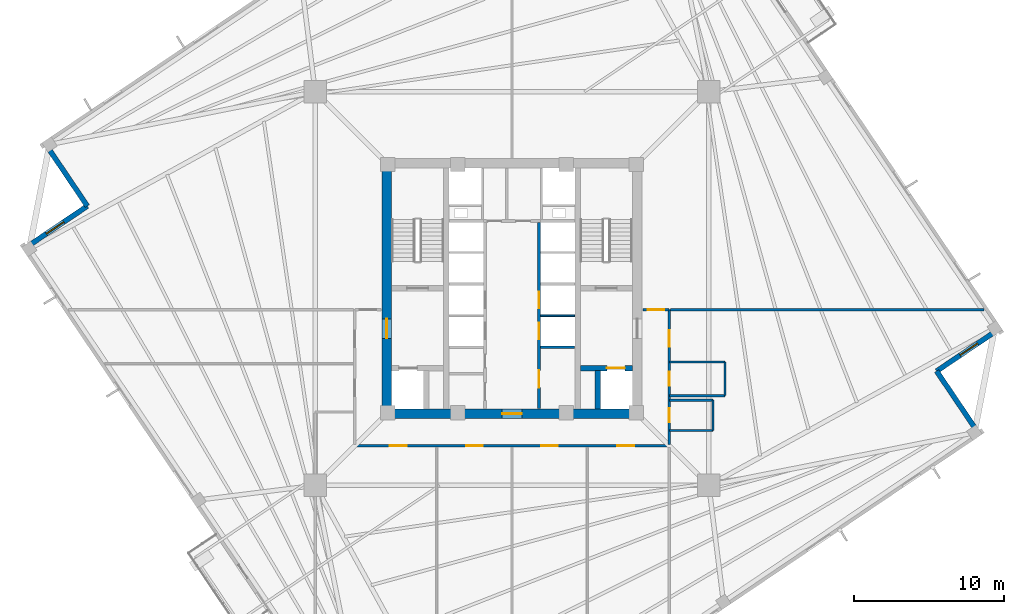
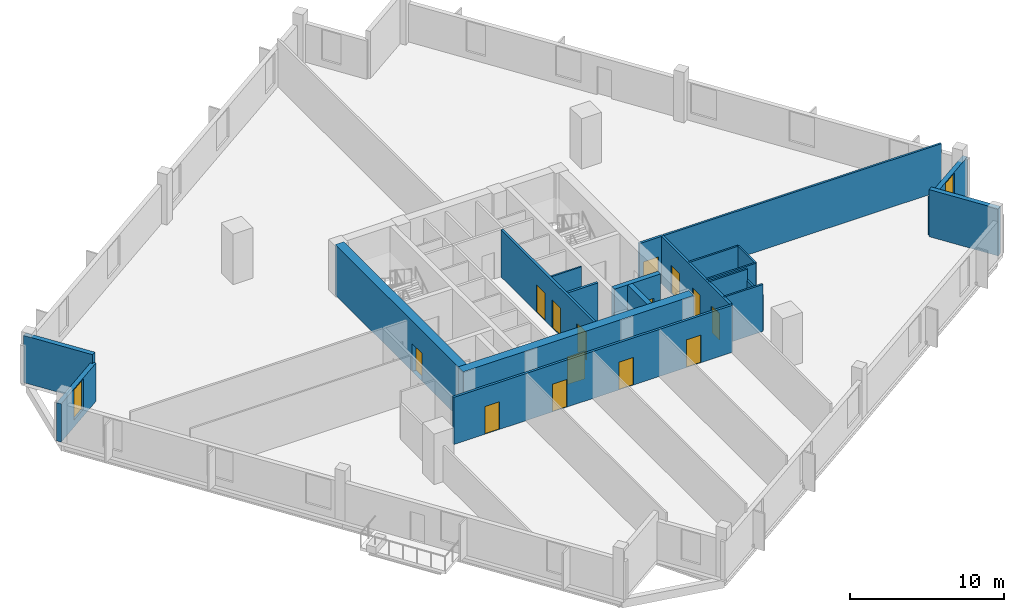
# One storey, part 4 of 9: 21 walls, 14 doors, 2 windows, 16 openings.
"""IFC4 building model written with IfcOpenShell, lengths in metres."""

from ifc_helpers import new_model, si_unit, direction, frame, frame_2d, origin, place, context, subcontext, project, spatial, rectangle, extrude, source, transform, mapped, material, layer, layer_set, type_object, element, fill, save


model = new_model("IFC4")

# Units and contexts
model_context = context("Model", 3, precision=1e-05, world=origin(), true_north=direction((0.0, 1.0)))
body_context = subcontext(model_context, "Body", "Model", "MODEL_VIEW")
ifc_project = project(units=[si_unit("LENGTHUNIT", "METRE"), si_unit("AREAUNIT", "SQUARE_METRE"), si_unit("VOLUMEUNIT", "CUBIC_METRE"), si_unit("PLANEANGLEUNIT", "RADIAN"), si_unit("MASSUNIT", "GRAM", prefix="KILO"), si_unit("THERMODYNAMICTEMPERATUREUNIT", "KELVIN")], contexts=[model_context])

# Site, building, storey
site_placement = place(None, origin())
site = spatial("IfcSite", under=ifc_project, at=site_placement, CompositionType="ELEMENT")
building_placement = place(site_placement, origin())
building = spatial("IfcBuilding", under=site, at=building_placement, Name="Kosmvard Interchange Tower", CompositionType="ELEMENT")
storey_placement = place(building_placement, frame((0.0, 0.0, 144.39990234375)))
storey = spatial("IfcBuildingStorey", under=building, at=storey_placement, Name="L34", CompositionType="ELEMENT", Elevation=144.39990234375)

# Wall
ifc_material_1 = material(Name="Acoustic gypsum partition system")
ifc_layer_1 = layer(ifc_material_1, 0.14990234375, Name="Acoustic gypsum partition system")
ifc_layer_set_1 = layer_set([ifc_layer_1], Name="Acoustic gypsum partition system")
wall_type_1 = type_object("IfcWallType", Name="Acoustic Suite & Meeting Partition 150", PredefinedType="PARTITIONING", material=ifc_layer_set_1)
wall_1_placement = place(storey_placement, frame((10.544921875, -1.39990234375, 0.0), z_axis=(0.0, 0.0, 1.0), x_axis=(1.0, 0.0, 0.0)))
element("IfcWall", 1, at=wall_1_placement, inside=storey, type_object=wall_type_1, Name="L34 Room Partition 03.1", PredefinedType="PARTITIONING", context=body_context, shape_type="SweptSolid", body=[
    extrude(rectangle(XDim=20.826171875, YDim=0.14990234375, at=frame_2d((10.4130859375, 0.0))), origin(), (0.0, 0.0, 1.0), 3.739990234375),
])

# Wall, openings, doors
ifc_material_2 = material(Name="Fire-rated gypsum partition system")
ifc_layer_2 = layer(ifc_material_2, 0.179931640625, Name="Fire-rated gypsum partition system")
ifc_layer_set_2 = layer_set([ifc_layer_2], Name="Fire-rated gypsum partition system")
wall_type_2 = type_object("IfcWallType", Name="Corridor & Hotel Compartment Partition 180", PredefinedType="PARTITIONING", material=ifc_layer_set_2)
wall_2_placement = place(storey_placement, frame((1.7900390625, -7.97998046875, 0.0), z_axis=(0.0, 0.0, 1.0), x_axis=(0.0, 1.0, 0.0)))
wall_2 = element("IfcWall", 2, at=wall_2_placement, inside=storey, type_object=wall_type_2, Name="L34 East Lift Bank Front Wall", PredefinedType="PARTITIONING", context=body_context, shape_type="SweptSolid", body=[
    extrude(rectangle(XDim=12.3798828125, YDim=0.179931640625, at=frame_2d((6.18994140625, 0.0))), origin(), (0.0, 0.0, 1.0), 3.739990234375),
])
opening_1_placement = place(wall_2_placement, frame((4.60009765625, 0.0, 0.0)))
opening_1 = element("IfcOpeningElement", 3, at=opening_1_placement, cuts=wall_2, Name="Opening LD-PL-M3-L34", PredefinedType="OPENING", context=body_context, shape_type="SweptSolid", body=[
    extrude(rectangle(XDim=1.10009765625, YDim=2.199951171875, at=frame_2d((0.550048828125, 1.10009765625))), frame((0.0, 0.10009765625, 0.0), z_axis=(0.0, -1.0, 0.0), x_axis=(1.0, 0.0, 0.0)), (0.0, 0.0, 1.0), 0.199951171875),
])
opening_2_placement = place(wall_2_placement, frame((6.659912109375, 0.0, 0.0)))
opening_2 = element("IfcOpeningElement", 4, at=opening_2_placement, cuts=wall_2, Name="Opening LD-PL-M4-L34", PredefinedType="OPENING", context=body_context, shape_type="SweptSolid", body=[
    extrude(rectangle(XDim=1.10009765625, YDim=2.199951171875, at=frame_2d((0.550048828125, 1.10009765625))), frame((0.0, 0.10009765625, 0.0), z_axis=(0.0, -1.0, 0.0), x_axis=(1.0, 0.0, 0.0)), (0.0, 0.0, 1.0), 0.199951171875),
])
opening_3_placement = place(wall_2_placement, frame((1.39990234375, 0.0, 0.0)))
opening_3 = element("IfcOpeningElement", 5, at=opening_3_placement, cuts=wall_2, Name="Opening L34-CD3", PredefinedType="OPENING", context=body_context, shape_type="SweptSolid", body=[
    extrude(rectangle(XDim=1.14990234375, YDim=2.25, at=frame_2d((0.574951171875, 1.125))), frame((0.0, 0.10009765625, 0.0), z_axis=(0.0, -1.0, 0.0), x_axis=(1.0, 0.0, 0.0)), (0.0, 0.0, 1.0), 0.199951171875),
])
ifc_material_3 = material(Name="Painted fire-rated steel leaf", Category="steel")
door_type_1 = type_object("IfcDoorType", Name="Plant & Riser Fire Door 1150x2250 EI60", OperationType="NOTDEFINED", PredefinedType="DOOR", material=ifc_material_3)
shared_shape_1 = source(origin(), body_context, "Body", "SweptSolid", [
    extrude(rectangle(XDim=1.14990234375, YDim=2.25, at=frame_2d((0.574951171875, 1.125))), frame((0.0, 0.02490234375, 0.0), z_axis=(0.0, -1.0, 0.0), x_axis=(1.0, 0.0, 0.0)), (0.0, 0.0, 1.0), 0.050048828125),
])
door_1_placement = place(opening_3_placement, frame((1.14990234375, 0.0, 0.0), z_axis=(0.0, 0.0, 1.0), x_axis=(-1.0, 0.0, 0.0)))
door_1 = element("IfcDoor", 6, at=door_1_placement, inside=storey, type_object=door_type_1, Name="L34 Core Telecoms Door", OperationType="SINGLE_SWING_RIGHT", OverallHeight=2.25, OverallWidth=1.14990234375, PredefinedType="DOOR", context=body_context, shape_type="MappedRepresentation", body=[
    mapped(shared_shape_1, transform((0.0, 0.0, 0.0), scale=1.0)),
])
fill(opening_3, door_1)
ifc_material_4 = material(Name="Brushed stainless steel sliding leaf", Category="steel")
door_type_2 = type_object("IfcDoorType", Name="Passenger Lift Sliding Landing Door 1100x2200 EI60", OperationType="DOUBLE_DOOR_SLIDING", PredefinedType="DOOR", material=ifc_material_4)
shared_shape_2 = source(origin(), body_context, "Body", "SweptSolid", [
    extrude(rectangle(XDim=1.10009765625, YDim=2.199951171875, at=frame_2d((0.550048828125, 1.10009765625))), frame((0.0, 0.02490234375, 0.0), z_axis=(0.0, -1.0, 0.0), x_axis=(1.0, 0.0, 0.0)), (0.0, 0.0, 1.0), 0.050048828125),
])
door_2_placement = place(opening_1_placement, origin())
door_2 = element("IfcDoor", 7, at=door_2_placement, inside=storey, type_object=door_type_2, Name="Lift PL-M3 Landing Door L34", OperationType="DOUBLE_DOOR_SLIDING", OverallHeight=2.199951171875, OverallWidth=1.10009765625, PredefinedType="DOOR", context=body_context, shape_type="MappedRepresentation", body=[
    mapped(shared_shape_2, transform((0.0, 0.0, 0.0), scale=1.0)),
])
fill(opening_1, door_2)
door_3_placement = place(opening_2_placement, origin())
door_3 = element("IfcDoor", 8, at=door_3_placement, inside=storey, type_object=door_type_2, Name="Lift PL-M4 Landing Door L34", OperationType="DOUBLE_DOOR_SLIDING", OverallHeight=2.199951171875, OverallWidth=1.10009765625, PredefinedType="DOOR", context=body_context, shape_type="MappedRepresentation", body=[
    mapped(shared_shape_2, transform((0.0, 0.0, 0.0), scale=1.0)),
])
fill(opening_2, door_3)

wall_3_placement = place(storey_placement, frame((-10.449951171875, -10.449951171875, 0.0), z_axis=(0.0, 0.0, 1.0), x_axis=(1.0, 0.0, 0.0)))
wall_3 = element("IfcWall", 9, at=wall_3_placement, inside=storey, type_object=wall_type_2, Name="L34 Corridor Wall CS", PredefinedType="PARTITIONING", context=body_context, shape_type="SweptSolid", body=[
    extrude(rectangle(XDim=20.89990234375, YDim=0.179931640625, at=frame_2d((10.449951171875, 0.0))), origin(), (0.0, 0.0, 1.0), 3.739990234375),
])
opening_4_placement = place(wall_3_placement, frame((2.33935546875, 0.0, 0.0)))
opening_4 = element("IfcOpeningElement", 10, at=opening_4_placement, cuts=wall_3, Name="Opening L34-D07", PredefinedType="OPENING", context=body_context, shape_type="SweptSolid", body=[
    extrude(rectangle(XDim=1.10009765625, YDim=2.199951171875, at=frame_2d((0.550048828125, 1.10009765625))), frame((0.0, 0.10009765625, 0.0), z_axis=(0.0, -1.0, 0.0), x_axis=(1.0, 0.0, 0.0)), (0.0, 0.0, 1.0), 0.199951171875),
])
opening_5_placement = place(wall_3_placement, frame((7.39990234375, 0.0, 0.0)))
opening_5 = element("IfcOpeningElement", 11, at=opening_5_placement, cuts=wall_3, Name="Opening L34-D08", PredefinedType="OPENING", context=body_context, shape_type="SweptSolid", body=[
    extrude(rectangle(XDim=1.10009765625, YDim=2.199951171875, at=frame_2d((0.550048828125, 1.10009765625))), frame((0.0, 0.10009765625, 0.0), z_axis=(0.0, -1.0, 0.0), x_axis=(1.0, 0.0, 0.0)), (0.0, 0.0, 1.0), 0.199951171875),
])
opening_6_placement = place(wall_3_placement, frame((12.39990234375, 0.0, 0.0)))
opening_6 = element("IfcOpeningElement", 12, at=opening_6_placement, cuts=wall_3, Name="Opening L34-D09", PredefinedType="OPENING", context=body_context, shape_type="SweptSolid", body=[
    extrude(rectangle(XDim=1.10009765625, YDim=2.199951171875, at=frame_2d((0.550048828125, 1.10009765625))), frame((0.0, 0.10009765625, 0.0), z_axis=(0.0, -1.0, 0.0), x_axis=(1.0, 0.0, 0.0)), (0.0, 0.0, 1.0), 0.199951171875),
])
opening_7_placement = place(wall_3_placement, frame((17.46044921875, 0.0, 0.0)))
opening_7 = element("IfcOpeningElement", 13, at=opening_7_placement, cuts=wall_3, Name="Opening L34-D10", PredefinedType="OPENING", context=body_context, shape_type="SweptSolid", body=[
    extrude(rectangle(XDim=1.10009765625, YDim=2.199951171875, at=frame_2d((0.550048828125, 1.10009765625))), frame((0.0, 0.10009765625, 0.0), z_axis=(0.0, -1.0, 0.0), x_axis=(1.0, 0.0, 0.0)), (0.0, 0.0, 1.0), 0.199951171875),
])
ifc_material_5 = material(Name="Engineered oak fire-rated timber", Category="wood")
door_type_3 = type_object("IfcDoorType", Name="Office Suite Entrance Door 1100x2200 FD30S", OperationType="NOTDEFINED", PredefinedType="DOOR", material=ifc_material_5)
door_4_placement = place(opening_4_placement, frame((1.10009765625, 0.0, 0.0), z_axis=(0.0, 0.0, 1.0), x_axis=(-1.0, 0.0, 0.0)))
door_4 = element("IfcDoor", 14, at=door_4_placement, inside=storey, type_object=door_type_3, Name="L34 South-West Corner Office 2 Door", OperationType="SINGLE_SWING_LEFT", OverallHeight=2.199951171875, OverallWidth=1.10009765625, PredefinedType="DOOR", context=body_context, shape_type="MappedRepresentation", body=[
    mapped(shared_shape_2, transform((0.0, 0.0, 0.0), scale=1.0)),
])
fill(opening_4, door_4)
door_5_placement = place(opening_5_placement, frame((1.10009765625, 0.0, 0.0), z_axis=(0.0, 0.0, 1.0), x_axis=(-1.0, 0.0, 0.0)))
door_5 = element("IfcDoor", 15, at=door_5_placement, inside=storey, type_object=door_type_3, Name="L34 South Briefing Room 1 Door", OperationType="SINGLE_SWING_RIGHT", OverallHeight=2.199951171875, OverallWidth=1.10009765625, PredefinedType="DOOR", context=body_context, shape_type="MappedRepresentation", body=[
    mapped(shared_shape_2, transform((0.0, 0.0, 0.0), scale=1.0)),
])
fill(opening_5, door_5)
door_6_placement = place(opening_6_placement, frame((1.10009765625, 0.0, 0.0), z_axis=(0.0, 0.0, 1.0), x_axis=(-1.0, 0.0, 0.0)))
door_6 = element("IfcDoor", 16, at=door_6_placement, inside=storey, type_object=door_type_3, Name="L34 South Boardroom 2 Door", OperationType="SINGLE_SWING_LEFT", OverallHeight=2.199951171875, OverallWidth=1.10009765625, PredefinedType="DOOR", context=body_context, shape_type="MappedRepresentation", body=[
    mapped(shared_shape_2, transform((0.0, 0.0, 0.0), scale=1.0)),
])
fill(opening_6, door_6)
door_7_placement = place(opening_7_placement, frame((1.10009765625, 0.0, 0.0), z_axis=(0.0, 0.0, 1.0), x_axis=(-1.0, 0.0, 0.0)))
door_7 = element("IfcDoor", 17, at=door_7_placement, inside=storey, type_object=door_type_3, Name="L34 South Advisory Office 3 Door", OperationType="SINGLE_SWING_RIGHT", OverallHeight=2.199951171875, OverallWidth=1.10009765625, PredefinedType="DOOR", context=body_context, shape_type="MappedRepresentation", body=[
    mapped(shared_shape_2, transform((0.0, 0.0, 0.0), scale=1.0)),
])
fill(opening_7, door_7)

wall_4_placement = place(storey_placement, frame((10.449951171875, -10.35009765625, 0.0), z_axis=(0.0, 0.0, 1.0), x_axis=(0.0, 1.0, 0.0)))
wall_4 = element("IfcWall", 18, at=wall_4_placement, inside=storey, type_object=wall_type_2, Name="L34 Corridor Wall CE", PredefinedType="PARTITIONING", context=body_context, shape_type="SweptSolid", body=[
    extrude(rectangle(XDim=8.9501953125, YDim=0.179931640625, at=frame_2d((4.47509765625, 0.0))), origin(), (0.0, 0.0, 1.0), 3.739990234375),
])
opening_8_placement = place(wall_4_placement, frame((1.455078125, 0.0, 0.0)))
opening_8 = element("IfcOpeningElement", 19, at=opening_8_placement, cuts=wall_4, Name="Opening L34-D01", PredefinedType="OPENING", context=body_context, shape_type="SweptSolid", body=[
    extrude(rectangle(XDim=0.949951171875, YDim=2.10009765625, at=frame_2d((0.47509765625, 1.050048828125))), frame((0.0, 0.10009765625, 0.0), z_axis=(0.0, -1.0, 0.0), x_axis=(1.0, 0.0, 0.0)), (0.0, 0.0, 1.0), 0.199951171875),
])
opening_9_placement = place(wall_4_placement, frame((3.879150390625, 0.0, 0.0)))
opening_9 = element("IfcOpeningElement", 20, at=opening_9_placement, cuts=wall_4, Name="Opening L34-D02", PredefinedType="OPENING", context=body_context, shape_type="SweptSolid", body=[
    extrude(rectangle(XDim=0.949951171875, YDim=2.10009765625, at=frame_2d((0.47509765625, 1.050048828125))), frame((0.0, 0.10009765625, 0.0), z_axis=(0.0, -1.0, 0.0), x_axis=(1.0, 0.0, 0.0)), (0.0, 0.0, 1.0), 0.199951171875),
])
opening_10_placement = place(wall_4_placement, frame((6.494140625, 0.0, 0.0)))
opening_10 = element("IfcOpeningElement", 21, at=opening_10_placement, cuts=wall_4, Name="Opening L34-D11", PredefinedType="OPENING", context=body_context, shape_type="SweptSolid", body=[
    extrude(rectangle(XDim=1.10009765625, YDim=2.199951171875, at=frame_2d((0.550048828125, 1.10009765625))), frame((0.0, 0.10009765625, 0.0), z_axis=(0.0, -1.0, 0.0), x_axis=(1.0, 0.0, 0.0)), (0.0, 0.0, 1.0), 0.199951171875),
])
ifc_material_6 = material(Name="Laminated moisture-resistant timber", Category="wood")
door_type_4 = type_object("IfcDoorType", Name="Accessible Washroom Door 950x2100", OperationType="NOTDEFINED", PredefinedType="DOOR", material=ifc_material_6)
shared_shape_3 = source(origin(), body_context, "Body", "SweptSolid", [
    extrude(rectangle(XDim=0.949951171875, YDim=2.10009765625, at=frame_2d((0.47509765625, 1.050048828125))), frame((0.0, 0.02490234375, 0.0), z_axis=(0.0, -1.0, 0.0), x_axis=(1.0, 0.0, 0.0)), (0.0, 0.0, 1.0), 0.050048828125),
])
door_8_placement = place(opening_8_placement, frame((0.949951171875, 0.0, 0.0), z_axis=(0.0, 0.0, 1.0), x_axis=(-1.0, 0.0, 0.0)))
door_8 = element("IfcDoor", 22, at=door_8_placement, inside=storey, type_object=door_type_4, Name="L34 Accessible Toilet Door", OperationType="SINGLE_SWING_LEFT", OverallHeight=2.10009765625, OverallWidth=0.949951171875, PredefinedType="DOOR", context=body_context, shape_type="MappedRepresentation", body=[
    mapped(shared_shape_3, transform((0.0, 0.0, 0.0), scale=1.0)),
])
fill(opening_8, door_8)
door_9_placement = place(opening_9_placement, frame((0.949951171875, 0.0, 0.0), z_axis=(0.0, 0.0, 1.0), x_axis=(-1.0, 0.0, 0.0)))
door_9 = element("IfcDoor", 23, at=door_9_placement, inside=storey, type_object=door_type_4, Name="L34 Public Floor Washroom Door", OperationType="SINGLE_SWING_RIGHT", OverallHeight=2.10009765625, OverallWidth=0.949951171875, PredefinedType="DOOR", context=body_context, shape_type="MappedRepresentation", body=[
    mapped(shared_shape_3, transform((0.0, 0.0, 0.0), scale=1.0)),
])
fill(opening_9, door_9)
door_10_placement = place(opening_10_placement, frame((1.10009765625, 0.0, 0.0), z_axis=(0.0, 0.0, 1.0), x_axis=(-1.0, 0.0, 0.0)))
door_10 = element("IfcDoor", 24, at=door_10_placement, inside=storey, type_object=door_type_3, Name="L34 South-East Open Engineering Studio Door", OperationType="SINGLE_SWING_LEFT", OverallHeight=2.199951171875, OverallWidth=1.10009765625, PredefinedType="DOOR", context=body_context, shape_type="MappedRepresentation", body=[
    mapped(shared_shape_2, transform((0.0, 0.0, 0.0), scale=1.0)),
])
fill(opening_10, door_10)

# Wall, opening, door
wall_5_placement = place(storey_placement, frame((8.699951171875, -1.39990234375, 0.0), z_axis=(0.0, 0.0, 1.0), x_axis=(1.0, 0.0, 0.0)))
wall_5 = element("IfcWall", 25, at=wall_5_placement, inside=storey, type_object=wall_type_2, Name="L34 Corridor Wall CNE", PredefinedType="PARTITIONING", context=body_context, shape_type="SweptSolid", body=[
    extrude(rectangle(XDim=1.75, YDim=0.179931640625, at=frame_2d((0.875, 0.0))), origin(), (0.0, 0.0, 1.0), 3.739990234375),
])
opening_11_placement = place(wall_5_placement, frame((0.324951171875, 0.0, 0.0)))
opening_11 = element("IfcOpeningElement", 26, at=opening_11_placement, cuts=wall_5, Name="Opening L34-D04", PredefinedType="OPENING", context=body_context, shape_type="SweptSolid", body=[
    extrude(rectangle(XDim=1.10009765625, YDim=2.199951171875, at=frame_2d((0.550048828125, 1.10009765625))), frame((0.0, 0.10009765625, 0.0), z_axis=(0.0, -1.0, 0.0), x_axis=(1.0, 0.0, 0.0)), (0.0, 0.0, 1.0), 0.199951171875),
])
door_11_placement = place(opening_11_placement, origin())
door_11 = element("IfcDoor", 27, at=door_11_placement, inside=storey, type_object=door_type_3, Name="L34 North-East Technology Workplace Door", OperationType="SINGLE_SWING_RIGHT", OverallHeight=2.199951171875, OverallWidth=1.10009765625, PredefinedType="DOOR", context=body_context, shape_type="MappedRepresentation", body=[
    mapped(shared_shape_2, transform((0.0, 0.0, 0.0), scale=1.0)),
])
fill(opening_11, door_11)

ifc_material_7 = material(Name="Concrete C70/85", Category="concrete")
ifc_layer_3 = layer(ifc_material_7, 0.64990234375, Name="Concrete C70/85")
ifc_layer_set_3 = layer_set([ifc_layer_3], Name="Concrete C70/85")
wall_type_3 = type_object("IfcWallType", Name="Mid Core Shear Wall 650 C70/85", PredefinedType="SHEAR", material=ifc_layer_set_3)
wall_6_placement = place(storey_placement, frame((-8.64990234375, -8.324951171875, 0.0), z_axis=(0.0, 0.0, 1.0), x_axis=(1.0, 0.0, 0.0)))
wall_6 = element("IfcWall", 28, at=wall_6_placement, inside=storey, type_object=wall_type_3, Name="L34 Core Shear Wall CW-S", PredefinedType="SHEAR", context=body_context, shape_type="SweptSolid", body=[
    extrude(rectangle(XDim=17.2998046875, YDim=0.64990234375, at=frame_2d((8.64990234375, 0.0))), origin(), (0.0, 0.0, 1.0), 4.0),
])
opening_12_placement = place(wall_6_placement, frame((8.0, 0.0, 0.0)))
opening_12 = element("IfcOpeningElement", 29, at=opening_12_placement, cuts=wall_6, Name="Opening L34-LD0", PredefinedType="OPENING", context=body_context, shape_type="SweptSolid", body=[
    extrude(rectangle(XDim=1.300048828125, YDim=2.199951171875, at=frame_2d((0.64990234375, 1.10009765625))), frame((0.0, 0.3349609375, 0.0), z_axis=(0.0, -1.0, 0.0), x_axis=(1.0, 0.0, 0.0)), (0.0, 0.0, 1.0), 0.669921875),
])
door_type_5 = type_object("IfcDoorType", Name="Firefighting Lobby Door 1300x2200 EI60", OperationType="NOTDEFINED", PredefinedType="DOOR", material=ifc_material_3)
shared_shape_4 = source(origin(), body_context, "Body", "SweptSolid", [
    extrude(rectangle(XDim=1.300048828125, YDim=2.199951171875, at=frame_2d((0.64990234375, 1.10009765625))), frame((0.0, 0.02490234375, 0.0), z_axis=(0.0, -1.0, 0.0), x_axis=(1.0, 0.0, 0.0)), (0.0, 0.0, 1.0), 0.050048828125),
])
door_12_placement = place(opening_12_placement, frame((1.300048828125, 0.0, 0.0), z_axis=(0.0, 0.0, 1.0), x_axis=(-1.0, 0.0, 0.0)))
door_12 = element("IfcDoor", 30, at=door_12_placement, inside=storey, type_object=door_type_5, Name="L34 Passenger Lift Lobby South Door", OperationType="SINGLE_SWING_LEFT", OverallHeight=2.199951171875, OverallWidth=1.300048828125, PredefinedType="DOOR", context=body_context, shape_type="MappedRepresentation", body=[
    mapped(shared_shape_4, transform((0.0, 0.0, 0.0), scale=1.0)),
])
fill(opening_12, door_12)

wall_7_placement = place(storey_placement, frame((-8.324951171875, -8.0, 0.0), z_axis=(0.0, 0.0, 1.0), x_axis=(0.0, 1.0, 0.0)))
wall_7 = element("IfcWall", 31, at=wall_7_placement, inside=storey, type_object=wall_type_3, Name="L34 Core Shear Wall CW-W", PredefinedType="SHEAR", context=body_context, shape_type="SweptSolid", body=[
    extrude(rectangle(XDim=16.0, YDim=0.64990234375, at=frame_2d((8.0, 0.0))), origin(), (0.0, 0.0, 1.0), 4.0),
])
opening_13_placement = place(wall_7_placement, frame((4.68994140625, 0.0, 0.0)))
opening_13 = element("IfcOpeningElement", 32, at=opening_13_placement, cuts=wall_7, Name="Opening L34-FD1", PredefinedType="OPENING", context=body_context, shape_type="SweptSolid", body=[
    extrude(rectangle(XDim=1.300048828125, YDim=2.199951171875, at=frame_2d((0.64990234375, 1.10009765625))), frame((0.0, 0.3349609375, 0.0), z_axis=(0.0, -1.0, 0.0), x_axis=(1.0, 0.0, 0.0)), (0.0, 0.0, 1.0), 0.669921875),
])
door_13_placement = place(opening_13_placement, frame((1.300048828125, 0.0, 0.0), z_axis=(0.0, 0.0, 1.0), x_axis=(-1.0, 0.0, 0.0)))
door_13 = element("IfcDoor", 33, at=door_13_placement, inside=storey, type_object=door_type_5, Name="L34 Firefighting Lobby West Door", OperationType="SINGLE_SWING_LEFT", OverallHeight=2.199951171875, OverallWidth=1.300048828125, PredefinedType="DOOR", context=body_context, shape_type="MappedRepresentation", body=[
    mapped(shared_shape_4, transform((0.0, 0.0, 0.0), scale=1.0)),
])
fill(opening_13, door_13)

# Wall
ifc_material_8 = material(Name="Precast concrete C45/55", Category="concrete")
ifc_layer_4 = layer(ifc_material_8, 0.340087890625, Name="Precast concrete C45/55")
ifc_layer_set_4 = layer_set([ifc_layer_4], Name="Precast concrete C45/55")
wall_type_4 = type_object("IfcWallType", Name="Mid Tower Precast Pier Wall 340 C45/55", PredefinedType="STANDARD", material=ifc_layer_set_4)
wall_8_placement = place(storey_placement, frame((31.018798828125, -9.631103515625, 0.0), z_axis=(0.0, 0.0, 1.0), x_axis=(-0.559210350234, 0.829025804298, 0.0)))
element("IfcWall", 34, at=wall_8_placement, inside=storey, type_object=wall_type_4, Name="L34 Precast Facade Wall N-SE1", PredefinedType="STANDARD", context=body_context, shape_type="SweptSolid", body=[
    extrude(rectangle(XDim=5.000244140625, YDim=0.340087890625, at=frame_2d((2.5, 0.0))), origin(), (0.0, 0.0, 1.0), 3.739990234375),
])

# Wall, opening, window
wall_9_placement = place(storey_placement, frame((28.22265625, -5.48583984375, 0.0), z_axis=(0.0, 0.0, 1.0), x_axis=(0.82905227345, 0.559171107879, 0.0)))
wall_9 = element("IfcWall", 35, at=wall_9_placement, inside=storey, type_object=wall_type_4, Name="L34 Precast Facade Wall N-SE2", PredefinedType="STANDARD", context=body_context, shape_type="SweptSolid", body=[
    extrude(rectangle(XDim=5.169921875, YDim=0.340087890625, at=frame_2d((2.5849609375, 0.0))), origin(), (0.0, 0.0, 1.0), 3.0400390625),
])
opening_14_placement = place(wall_9_placement, frame((1.885009765625, 0.0, 0.56005859375)))
opening_14 = element("IfcOpeningElement", 36, at=opening_14_placement, cuts=wall_9, Name="Opening L34-W21", PredefinedType="OPENING", context=body_context, shape_type="SweptSolid", body=[
    extrude(rectangle(XDim=1.39990234375, YDim=2.39990234375, at=frame_2d((0.699951171875, 1.199951171875))), frame((0.0, 0.18017578125, 0.0), z_axis=(0.0, -1.0, 0.0), x_axis=(1.0, 0.0, 0.0)), (0.0, 0.0, 1.0), 0.360107421875),
])
ifc_material_9 = material(Name="Low-E solar-control double glazing", Category="glass")
window_type = type_object("IfcWindowType", Name="Notched Corner Feature Window 1400x2400", PartitioningType="SINGLE_PANEL", PredefinedType="WINDOW", material=ifc_material_9)
shared_shape_5 = source(origin(), body_context, "Body", "SweptSolid", [
    extrude(rectangle(XDim=1.39990234375, YDim=2.39990234375, at=frame_2d((0.699951171875, 1.199951171875))), frame((0.0, 0.030029296875, 0.0), z_axis=(0.0, -1.0, 0.0), x_axis=(1.0, 0.0, 0.0)), (0.0, 0.0, 1.0), 0.06005859375),
])
window_1_placement = place(opening_14_placement, origin())
window_1 = element("IfcWindow", 37, at=window_1_placement, inside=storey, type_object=window_type, Name="L34 Corner Notch Window 21", OverallHeight=2.39990234375, OverallWidth=1.39990234375, PartitioningType="SINGLE_PANEL", PredefinedType="WINDOW", context=body_context, shape_type="MappedRepresentation", body=[
    mapped(shared_shape_5, transform((0.0, 0.0, 0.0), scale=1.0)),
])
fill(opening_14, window_1)

# Wall
wall_10_placement = place(storey_placement, frame((-31.018798828125, 9.631103515625, 0.0), z_axis=(0.0, 0.0, 1.0), x_axis=(0.559210350234, -0.829025804298, 0.0)))
element("IfcWall", 38, at=wall_10_placement, inside=storey, type_object=wall_type_4, Name="L34 Precast Facade Wall N-NW1", PredefinedType="STANDARD", context=body_context, shape_type="SweptSolid", body=[
    extrude(rectangle(XDim=5.000244140625, YDim=0.340087890625, at=frame_2d((2.5, 0.0))), origin(), (0.0, 0.0, 1.0), 3.739990234375),
])

# Wall, opening, window
wall_11_placement = place(storey_placement, frame((-28.22265625, 5.48583984375, 0.0), z_axis=(0.0, 0.0, 1.0), x_axis=(-0.82905227345, -0.559171107879, 0.0)))
wall_11 = element("IfcWall", 39, at=wall_11_placement, inside=storey, type_object=wall_type_4, Name="L34 Precast Facade Wall N-NW2", PredefinedType="STANDARD", context=body_context, shape_type="SweptSolid", body=[
    extrude(rectangle(XDim=5.169921875, YDim=0.340087890625, at=frame_2d((2.5849609375, 0.0))), origin(), (0.0, 0.0, 1.0), 3.0400390625),
])
opening_15_placement = place(wall_11_placement, frame((1.885009765625, 0.0, 0.56005859375)))
opening_15 = element("IfcOpeningElement", 40, at=opening_15_placement, cuts=wall_11, Name="Opening L34-W23", PredefinedType="OPENING", context=body_context, shape_type="SweptSolid", body=[
    extrude(rectangle(XDim=1.39990234375, YDim=2.39990234375, at=frame_2d((0.699951171875, 1.199951171875))), frame((0.0, 0.18017578125, 0.0), z_axis=(0.0, -1.0, 0.0), x_axis=(1.0, 0.0, 0.0)), (0.0, 0.0, 1.0), 0.360107421875),
])
window_2_placement = place(opening_15_placement, origin())
window_2 = element("IfcWindow", 41, at=window_2_placement, inside=storey, type_object=window_type, Name="L34 Corner Notch Window 23", OverallHeight=2.39990234375, OverallWidth=1.39990234375, PartitioningType="SINGLE_PANEL", PredefinedType="WINDOW", context=body_context, shape_type="MappedRepresentation", body=[
    mapped(shared_shape_5, transform((0.0, 0.0, 0.0), scale=1.0)),
])
fill(opening_15, window_2)

# Walls
ifc_material_10 = material(Name="Concrete blockwork masonry", Category="masonry")
ifc_layer_5 = layer(ifc_material_10, 0.179931640625, Name="Concrete blockwork masonry")
ifc_layer_set_5 = layer_set([ifc_layer_5], Name="Concrete blockwork masonry")
wall_type_5 = type_object("IfcWallType", Name="Riser & Lift Bank Divider Wall 180", PredefinedType="PARTITIONING", material=ifc_layer_set_5)
wall_12_placement = place(storey_placement, frame((1.889892578125, -3.89990234375, 0.0), z_axis=(0.0, 0.0, 1.0), x_axis=(1.0, 0.0, 0.0)))
element("IfcWall", 42, at=wall_12_placement, inside=storey, type_object=wall_type_5, Name="L34 East Bank Divider BD1", PredefinedType="PARTITIONING", context=body_context, shape_type="SweptSolid", body=[
    extrude(rectangle(XDim=2.280029296875, YDim=0.179931640625, at=frame_2d((1.14013671875, 0.0))), origin(), (0.0, 0.0, 1.0), 3.739990234375),
])
ifc_material_11 = material(Name="Fire-rated gypsum shaftwall system")
ifc_layer_6 = layer(ifc_material_11, 0.1201171875, Name="Fire-rated gypsum shaftwall system")
ifc_layer_set_6 = layer_set([ifc_layer_6], Name="Fire-rated gypsum shaftwall system")
wall_type_6 = type_object("IfcWallType", Name="Shaft & Riser Fire Partition 120 EI60", PredefinedType="PARTITIONING", material=ifc_layer_set_6)
wall_13_placement = place(storey_placement, frame((1.89990234375, -1.800048828125, 0.0), z_axis=(0.0, 0.0, 1.0), x_axis=(1.0, 0.0, 0.0)))
element("IfcWall", 43, at=wall_13_placement, inside=storey, type_object=wall_type_6, Name="L34 Shaft Divider PL-M3", PredefinedType="PARTITIONING", context=body_context, shape_type="SweptSolid", body=[
    extrude(rectangle(XDim=2.260009765625, YDim=0.1201171875, at=frame_2d((1.1298828125, 0.0))), origin(), (0.0, 0.0, 1.0), 3.739990234375),
])

# Wall, opening, door
ifc_material_12 = material(Name="Concrete C60/75", Category="concrete")
ifc_layer_7 = layer(ifc_material_12, 0.360107421875, Name="Concrete C60/75")
ifc_layer_set_7 = layer_set([ifc_layer_7], Name="Concrete C60/75")
wall_type_7 = type_object("IfcWallType", Name="Stair & Lift Shaft Shear Wall 360 C60/75", PredefinedType="SHEAR", material=ifc_layer_set_7)
wall_14_placement = place(storey_placement, frame((4.5400390625, -5.280029296875, 0.0), z_axis=(0.0, 0.0, 1.0), x_axis=(1.0, 0.0, 0.0)))
wall_14 = element("IfcWall", 44, at=wall_14_placement, inside=storey, type_object=wall_type_7, Name="L34 Shaft Shear Wall SW-FF2", PredefinedType="SHEAR", context=body_context, shape_type="SweptSolid", body=[
    extrude(rectangle(XDim=3.4599609375, YDim=0.360107421875, at=frame_2d((1.72998046875, 0.0))), origin(), (0.0, 0.0, 1.0), 4.0),
])
opening_16_placement = place(wall_14_placement, frame((1.760009765625, 0.0, 0.0)))
opening_16 = element("IfcOpeningElement", 45, at=opening_16_placement, cuts=wall_14, Name="Opening LD-FF-2-L34", PredefinedType="OPENING", context=body_context, shape_type="SweptSolid", body=[
    extrude(rectangle(XDim=1.199951171875, YDim=2.25, at=frame_2d((0.60009765625, 1.125))), frame((0.0, 0.18994140625, 0.0), z_axis=(0.0, -1.0, 0.0), x_axis=(1.0, 0.0, 0.0)), (0.0, 0.0, 1.0), 0.380126953125),
])
door_type_6 = type_object("IfcDoorType", Name="Firefighting Lift Sliding Landing Door 1200x2250 EI120", OperationType="DOUBLE_DOOR_SLIDING", PredefinedType="DOOR", material=ifc_material_4)
shared_shape_6 = source(origin(), body_context, "Body", "SweptSolid", [
    extrude(rectangle(XDim=1.199951171875, YDim=2.25, at=frame_2d((0.60009765625, 1.125))), frame((0.0, 0.02490234375, 0.0), z_axis=(0.0, -1.0, 0.0), x_axis=(1.0, 0.0, 0.0)), (0.0, 0.0, 1.0), 0.050048828125),
])
door_14_placement = place(opening_16_placement, origin())
door_14 = element("IfcDoor", 46, at=door_14_placement, inside=storey, type_object=door_type_6, Name="Lift FF-2 Landing Door L34", OperationType="DOUBLE_DOOR_SLIDING", OverallHeight=2.25, OverallWidth=1.199951171875, PredefinedType="DOOR", context=body_context, shape_type="MappedRepresentation", body=[
    mapped(shared_shape_6, transform((0.0, 0.0, 0.0), scale=1.0)),
])
fill(opening_16, door_14)

# Walls
wall_15_placement = place(storey_placement, frame((5.7099609375, -8.0, 0.0), z_axis=(0.0, 0.0, 1.0), x_axis=(0.0, 1.0, 0.0)))
element("IfcWall", 47, at=wall_15_placement, inside=storey, type_object=wall_type_7, Name="L34 Shaft Shear Wall SW-SM2", PredefinedType="SHEAR", context=body_context, shape_type="SweptSolid", body=[
    extrude(rectangle(XDim=2.5400390625, YDim=0.360107421875, at=frame_2d((1.27001953125, 0.0))), origin(), (0.0, 0.0, 1.0), 4.0),
])
ifc_material_13 = material(Name="Moisture-resistant gypsum partition")
ifc_layer_8 = layer(ifc_material_13, 0.135009765625, Name="Moisture-resistant gypsum partition")
ifc_layer_set_8 = layer_set([ifc_layer_8], Name="Moisture-resistant gypsum partition")
wall_type_8 = type_object("IfcWallType", Name="Wet Room Moisture-Resistant Partition 135", PredefinedType="PARTITIONING", material=ifc_layer_set_8)
wall_16_placement = place(storey_placement, frame((10.469970703125, -9.419921875, 0.0), z_axis=(0.0, 0.0, 1.0), x_axis=(1.0, 0.0, 0.0)))
element("IfcWall", 48, at=wall_16_placement, inside=storey, type_object=wall_type_8, Name="L34 Washroom Partition AWC1-S", PredefinedType="PARTITIONING", context=body_context, shape_type="SweptSolid", body=[
    extrude(rectangle(XDim=2.900146484375, YDim=0.135009765625, at=frame_2d((1.4501953125, 0.0))), origin(), (0.0, 0.0, 1.0), 3.739990234375),
])
wall_17_placement = place(storey_placement, frame((13.3701171875, -9.419921875, 0.0), z_axis=(0.0, 0.0, 1.0), x_axis=(0.0, 1.0, 0.0)))
element("IfcWall", 49, at=wall_17_placement, inside=storey, type_object=wall_type_8, Name="L34 Washroom Partition AWC1-E", PredefinedType="PARTITIONING", context=body_context, shape_type="SweptSolid", body=[
    extrude(rectangle(XDim=2.0, YDim=0.135009765625, at=frame_2d((1.0, 0.0))), origin(), (0.0, 0.0, 1.0), 2.840087890625),
])
wall_18_placement = place(storey_placement, frame((10.469970703125, -7.419921875, 0.0), z_axis=(0.0, 0.0, 1.0), x_axis=(1.0, 0.0, 0.0)))
element("IfcWall", 50, at=wall_18_placement, inside=storey, type_object=wall_type_8, Name="L34 Washroom Partition AWC1-N", PredefinedType="PARTITIONING", context=body_context, shape_type="SweptSolid", body=[
    extrude(rectangle(XDim=2.900146484375, YDim=0.135009765625, at=frame_2d((1.4501953125, 0.0))), origin(), (0.0, 0.0, 1.0), 3.739990234375),
])
wall_19_placement = place(storey_placement, frame((10.469970703125, -7.120849609375, 0.0), z_axis=(0.0, 0.0, 1.0), x_axis=(1.0, 0.0, 0.0)))
element("IfcWall", 51, at=wall_19_placement, inside=storey, type_object=wall_type_8, Name="L34 Washroom Partition WC1-S", PredefinedType="PARTITIONING", context=body_context, shape_type="SweptSolid", body=[
    extrude(rectangle(XDim=3.699951171875, YDim=0.135009765625, at=frame_2d((1.85009765625, 0.0))), origin(), (0.0, 0.0, 1.0), 3.739990234375),
])
wall_20_placement = place(storey_placement, frame((14.169921875, -7.120849609375, 0.0), z_axis=(0.0, 0.0, 1.0), x_axis=(0.0, 1.0, 0.0)))
element("IfcWall", 52, at=wall_20_placement, inside=storey, type_object=wall_type_8, Name="L34 Washroom Partition WC1-E", PredefinedType="PARTITIONING", context=body_context, shape_type="SweptSolid", body=[
    extrude(rectangle(XDim=2.25, YDim=0.135009765625, at=frame_2d((1.125, 0.0))), origin(), (0.0, 0.0, 1.0), 3.739990234375),
])
wall_21_placement = place(storey_placement, frame((10.469970703125, -4.870849609375, 0.0), z_axis=(0.0, 0.0, 1.0), x_axis=(1.0, 0.0, 0.0)))
element("IfcWall", 53, at=wall_21_placement, inside=storey, type_object=wall_type_8, Name="L34 Washroom Partition WC1-N", PredefinedType="PARTITIONING", context=body_context, shape_type="SweptSolid", body=[
    extrude(rectangle(XDim=3.699951171875, YDim=0.135009765625, at=frame_2d((1.85009765625, 0.0))), origin(), (0.0, 0.0, 1.0), 3.739990234375),
])

save(model, "model.ifc")
